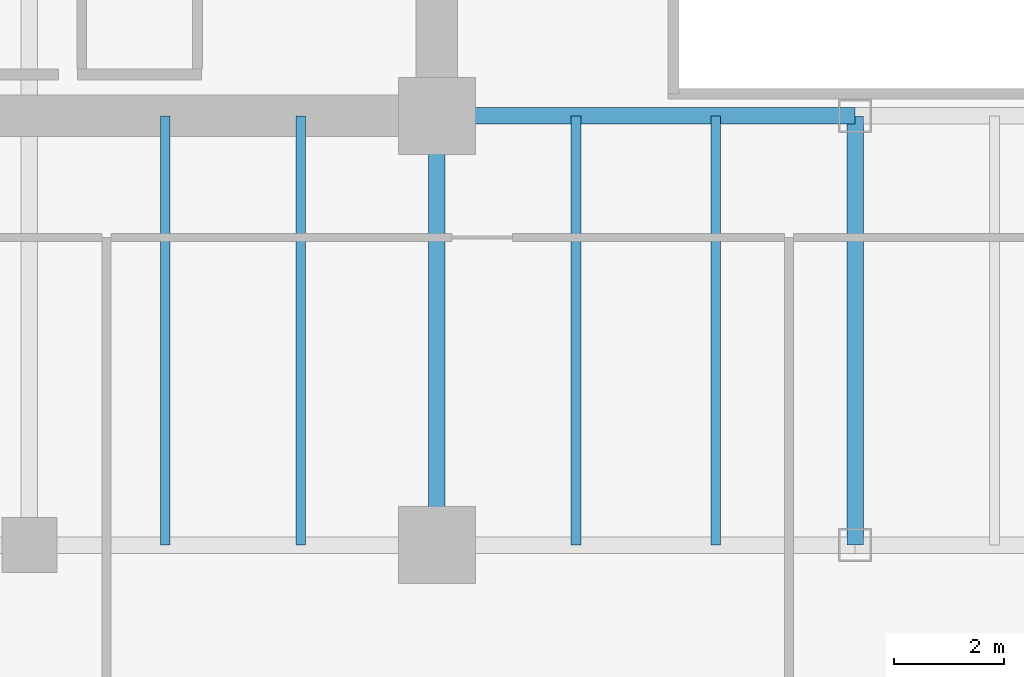
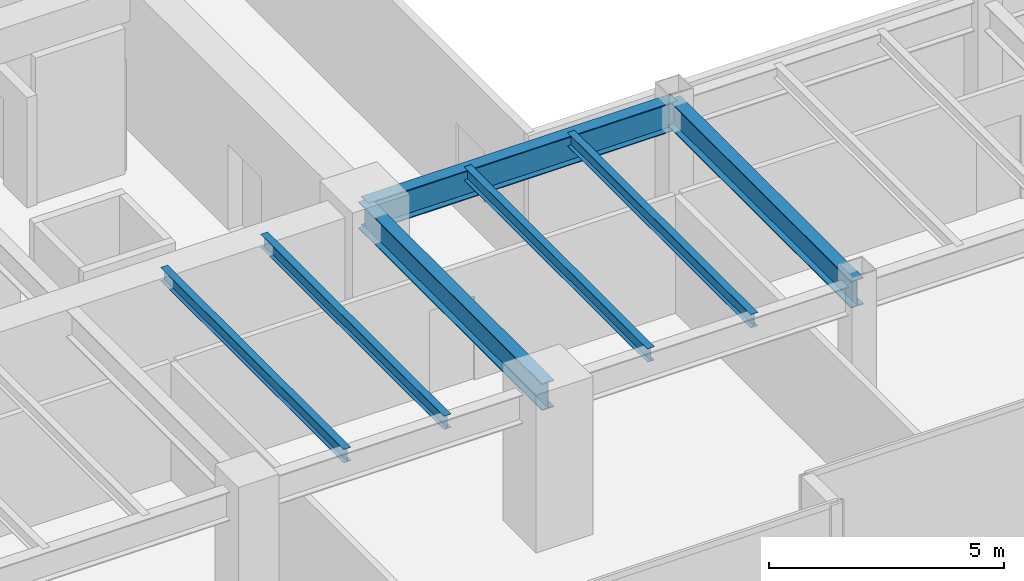
# One storey, part 5 of 36: 7 beams.
"""IFC4 building model written with IfcOpenShell, lengths in metres."""

from ifc_helpers import new_model, si_unit, direction, frame, origin, origin_2d, place, context, subcontext, project, spatial, i_section, extrude, source, transform, mapped, material, material_profile, profile_set, type_object, type_shapes, element, save


model = new_model("IFC4")

# Units and contexts
model_context = context("Model", 3, precision=1e-05, world=origin(), true_north=direction((0.0, 1.0)))
body_context = subcontext(model_context, "Body", "Model", "MODEL_VIEW")
ifc_project = project(units=[si_unit("LENGTHUNIT", "METRE"), si_unit("AREAUNIT", "SQUARE_METRE"), si_unit("VOLUMEUNIT", "CUBIC_METRE"), si_unit("PLANEANGLEUNIT", "RADIAN"), si_unit("MASSUNIT", "GRAM", prefix="KILO")], contexts=[model_context])

# Site, building, storey
site_placement = place(None, origin())
site = spatial("IfcSite", under=ifc_project, at=site_placement, CompositionType="ELEMENT")
building_placement = place(site_placement, origin())
building = spatial("IfcBuilding", under=site, at=building_placement, Name="Haelvirn Gate Laboratories", CompositionType="ELEMENT")
storey_placement = place(building_placement, frame((0.0, 0.0, 29.300048828125)))
storey = spatial("IfcBuildingStorey", under=building, at=storey_placement, Name="L07", CompositionType="ELEMENT", Elevation=29.300048828125)

# Beams
ifc_material = material(Name="Steel SM355", Category="steel")
ifc_material_profile_1 = material_profile(ifc_material, i_section(OverallWidth=0.300048828125, OverallDepth=0.699951171875, WebThickness=0.012939453125, FlangeThickness=0.02392578125, at=origin_2d()), Name="H-700x300x13x24")
ifc_profile_set_1 = profile_set([ifc_material_profile_1], Name="Steel SM355")
beam_type_1 = type_object("IfcBeamType", Name="BM-G-700", PredefinedType="BEAM", material=ifc_profile_set_1)
shared_shape_1 = source(origin(), body_context, "Body", "SweptSolid", [
    extrude(i_section(OverallWidth=0.300048828125, OverallDepth=0.699951171875, WebThickness=0.012939453125, FlangeThickness=0.02392578125, at=origin_2d()), origin(), (0.0, 0.0, 1.0), 7.800048828125),
])
type_shapes(beam_type_1, [shared_shape_1])
for number, where, z_axis, x_axis, name in (
    (1, (22.199951171875, 7.0, 3.429931640625), (0.0, 1.0, 0.0), (-1.0, 0.0, 0.0), "L07 Frame Girder X22.2 (7.0-14.8)"),
    (2, (29.800048828125, 7.0, 3.429931640625), (0.0, 1.0, 0.0), (-1.0, 0.0, 0.0), "L07 Frame Girder X29.8 (7.0-14.8)"),
):
    element("IfcBeam", number, at=place(storey_placement, frame(where, z_axis=z_axis, x_axis=x_axis)), inside=storey, type_object=beam_type_1, Name=name, PredefinedType="BEAM", context=body_context, shape_type="MappedRepresentation", body=[
        mapped(shared_shape_1, transform((0.0, 0.0, 0.0), scale=1.0)),
    ])
ifc_material_profile_2 = material_profile(ifc_material, i_section(OverallWidth=0.300048828125, OverallDepth=0.75, WebThickness=0.013916015625, FlangeThickness=0.02392578125, at=origin_2d()), Name="H-750x300x14x24")
ifc_profile_set_2 = profile_set([ifc_material_profile_2], Name="Steel SM355")
beam_type_2 = type_object("IfcBeamType", Name="BM-G-750", PredefinedType="BEAM", material=ifc_profile_set_2)
shared_shape_2 = source(origin(), body_context, "Body", "SweptSolid", [
    extrude(i_section(OverallWidth=0.300048828125, OverallDepth=0.75, WebThickness=0.013916015625, FlangeThickness=0.02392578125, at=origin_2d()), origin(), (0.0, 0.0, 1.0), 7.60009765625),
])
type_shapes(beam_type_2, [shared_shape_2])
beam_placement = place(storey_placement, frame((22.199951171875, 14.800048828125, 3.405029296875), z_axis=(1.0, 0.0, 0.0), x_axis=(0.0, 1.0, 0.0)))
element("IfcBeam", 3, at=beam_placement, inside=storey, type_object=beam_type_2, Name="L07 Primary Girder Y14.8 (22.2-29.8)", PredefinedType="BEAM", context=body_context, shape_type="MappedRepresentation", body=[
    mapped(shared_shape_2, transform((0.0, 0.0, 0.0), scale=1.0)),
])
ifc_material_profile_3 = material_profile(ifc_material, i_section(OverallWidth=0.175048828125, OverallDepth=0.35009765625, WebThickness=0.007080078125, FlangeThickness=0.010986328125, at=origin_2d()), Name="H-350x175x7x11")
ifc_profile_set_3 = profile_set([ifc_material_profile_3], Name="Steel SM355")
beam_type_3 = type_object("IfcBeamType", Name="BM-J-350", PredefinedType="JOIST", material=ifc_profile_set_3)
shared_shape_3 = source(origin(), body_context, "Body", "SweptSolid", [
    extrude(i_section(OverallWidth=0.175048828125, OverallDepth=0.35009765625, WebThickness=0.007080078125, FlangeThickness=0.010986328125, at=origin_2d()), origin(), (0.0, 0.0, 1.0), 7.800048828125),
])
type_shapes(beam_type_3, [shared_shape_3])
for number, where, z_axis, x_axis, name in (
    (4, (17.27001953125, 7.0, 3.60498046875), (0.0, 1.0, 0.0), (-1.0, 0.0, 0.0), "L07 Composite Lab Joist South X17.27"),
    (5, (19.72998046875, 7.0, 3.60498046875), (0.0, 1.0, 0.0), (-1.0, 0.0, 0.0), "L07 Composite Lab Joist South X19.73"),
    (6, (24.72998046875, 7.0, 3.60498046875), (0.0, 1.0, 0.0), (-1.0, 0.0, 0.0), "L07 Composite Lab Joist South X24.73"),
    (7, (27.27001953125, 7.0, 3.60498046875), (0.0, 1.0, 0.0), (-1.0, 0.0, 0.0), "L07 Composite Lab Joist South X27.27"),
):
    element("IfcBeam", number, at=place(storey_placement, frame(where, z_axis=z_axis, x_axis=x_axis)), inside=storey, type_object=beam_type_3, Name=name, PredefinedType="JOIST", context=body_context, shape_type="MappedRepresentation", body=[
        mapped(shared_shape_3, transform((0.0, 0.0, 0.0), scale=1.0)),
    ])

save(model, "model.ifc")
